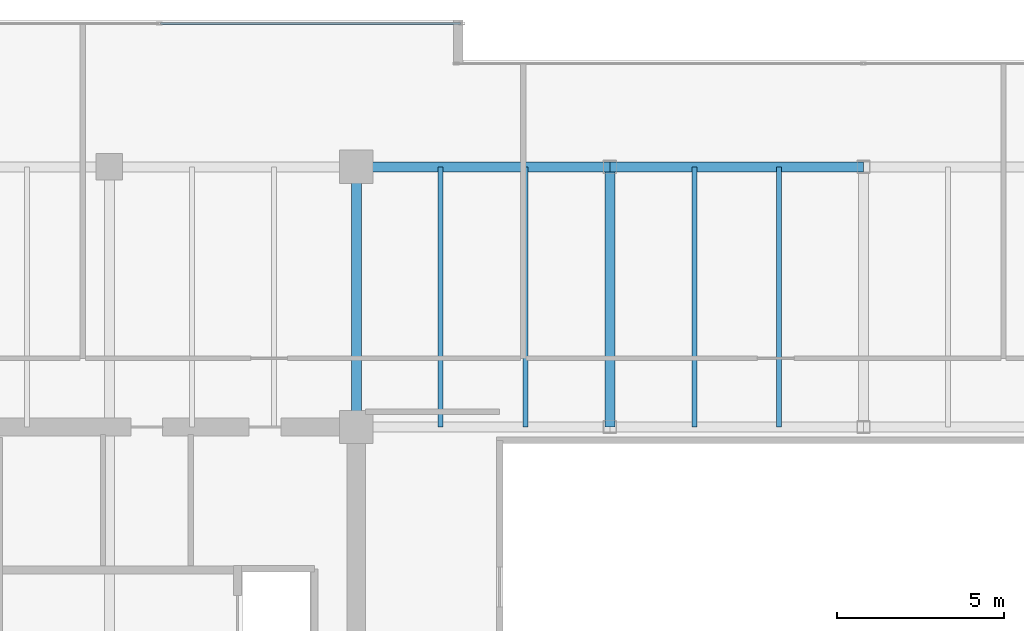
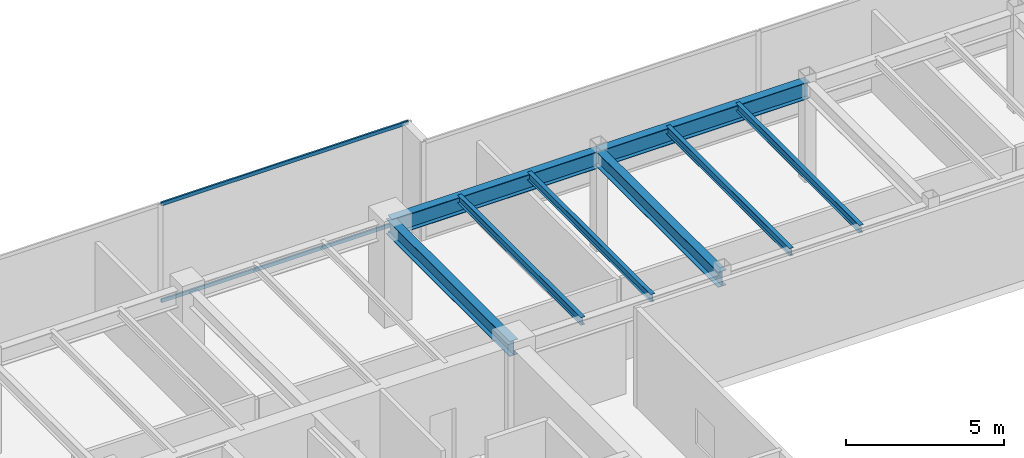
# One storey, part 16 of 33: 8 beams, 2 members, 1 element without a shape of its own.
"""IFC4 building model written with IfcOpenShell, lengths in metres."""

from ifc_helpers import new_model, si_unit, direction, frame, origin, origin_2d, place, context, subcontext, project, spatial, hollow_rectangle, i_section, extrude, source, transform, mapped, material, layer, layer_set, material_profile, profile_set, type_object, type_shapes, element, aggregate, save


model = new_model("IFC4")

# Units and contexts
model_context = context("Model", 3, precision=1e-05, world=origin(), true_north=direction((0.0, 1.0)))
body_context = subcontext(model_context, "Body", "Model", "MODEL_VIEW")
ifc_project = project(units=[si_unit("LENGTHUNIT", "METRE"), si_unit("AREAUNIT", "SQUARE_METRE"), si_unit("VOLUMEUNIT", "CUBIC_METRE"), si_unit("PLANEANGLEUNIT", "RADIAN"), si_unit("MASSUNIT", "GRAM", prefix="KILO")], contexts=[model_context])

# Site, building, storey
site_placement = place(None, origin())
site = spatial("IfcSite", under=ifc_project, at=site_placement, CompositionType="ELEMENT")
building_placement = place(site_placement, origin())
building = spatial("IfcBuilding", under=site, at=building_placement, Name="Haelvirn Gate Laboratories", CompositionType="ELEMENT")
storey_placement = place(building_placement, frame((0.0, 0.0, 213.699951171875)))
storey = spatial("IfcBuildingStorey", under=building, at=storey_placement, Name="L51", CompositionType="ELEMENT", Elevation=213.699951171875)

# Beams
ifc_material_1 = material(Name="Steel SM355", Category="steel")
ifc_material_profile_1 = material_profile(ifc_material_1, i_section(OverallWidth=0.14990234375, OverallDepth=0.300048828125, WebThickness=0.006591796875, FlangeThickness=0.009033203125, at=origin_2d()), Name="H-300x150x6.5x9")
ifc_profile_set_1 = profile_set([ifc_material_profile_1], Name="Steel SM355")
beam_type_1 = type_object("IfcBeamType", Name="BM-J-300", PredefinedType="JOIST", material=ifc_profile_set_1)
shared_shape_1 = source(origin(), body_context, "Body", "SweptSolid", [
    extrude(i_section(OverallWidth=0.14990234375, OverallDepth=0.300048828125, WebThickness=0.006591796875, FlangeThickness=0.009033203125, at=origin_2d()), origin(), (0.0, 0.0, 1.0), 7.800048828125),
])
type_shapes(beam_type_1, [shared_shape_1])
for number, where, z_axis, x_axis, name in (
    (1, (24.72998046875, 33.800048828125, 3.650146484375), (0.0, 1.0, 0.0), (-1.0, 0.0, 0.0), "L51 Composite Lab Joist North X24.73"),
    (2, (27.27001953125, 33.800048828125, 3.650146484375), (0.0, 1.0, 0.0), (-1.0, 0.0, 0.0), "L51 Composite Lab Joist North X27.27"),
    (3, (32.330078125, 33.800048828125, 3.650146484375), (0.0, 1.0, 0.0), (-1.0, 0.0, 0.0), "L51 Composite Lab Joist North X32.33"),
    (4, (34.8701171875, 33.800048828125, 3.650146484375), (0.0, 1.0, 0.0), (-1.0, 0.0, 0.0), "L51 Composite Lab Joist North X34.87"),
):
    element("IfcBeam", number, at=place(storey_placement, frame(where, z_axis=z_axis, x_axis=x_axis)), inside=storey, type_object=beam_type_1, Name=name, PredefinedType="JOIST", context=body_context, shape_type="MappedRepresentation", body=[
        mapped(shared_shape_1, transform((0.0, 0.0, 0.0), scale=1.0)),
    ])
ifc_material_profile_2 = material_profile(ifc_material_1, i_section(OverallWidth=0.300048828125, OverallDepth=0.587890625, WebThickness=0.011962890625, FlangeThickness=0.02001953125, at=origin_2d()), Name="H-588x300x12x20")
ifc_profile_set_2 = profile_set([ifc_material_profile_2], Name="Steel SM355")
beam_type_2 = type_object("IfcBeamType", Name="BM-G-588", PredefinedType="BEAM", material=ifc_profile_set_2)
shared_shape_2 = source(origin(), body_context, "Body", "SweptSolid", [
    extrude(i_section(OverallWidth=0.300048828125, OverallDepth=0.587890625, WebThickness=0.011962890625, FlangeThickness=0.02001953125, at=origin_2d()), origin(), (0.0, 0.0, 1.0), 7.800048828125),
])
type_shapes(beam_type_2, [shared_shape_2])
for number, where, z_axis, x_axis, name in (
    (5, (22.199951171875, 33.800048828125, 3.506103515625), (0.0, 1.0, 0.0), (-1.0, 0.0, 0.0), "L51 Frame Girder X22.2 (33.8-41.6)"),
    (6, (29.800048828125, 33.800048828125, 3.506103515625), (0.0, 1.0, 0.0), (-1.0, 0.0, 0.0), "L51 Frame Girder X29.8 (33.8-41.6)"),
):
    element("IfcBeam", number, at=place(storey_placement, frame(where, z_axis=z_axis, x_axis=x_axis)), inside=storey, type_object=beam_type_2, Name=name, PredefinedType="BEAM", context=body_context, shape_type="MappedRepresentation", body=[
        mapped(shared_shape_2, transform((0.0, 0.0, 0.0), scale=1.0)),
    ])
ifc_material_profile_3 = material_profile(ifc_material_1, i_section(OverallWidth=0.300048828125, OverallDepth=0.64990234375, WebThickness=0.012939453125, FlangeThickness=0.02197265625, at=origin_2d()), Name="H-650x300x13x22")
ifc_profile_set_3 = profile_set([ifc_material_profile_3], Name="Steel SM355")
beam_type_3 = type_object("IfcBeamType", Name="BM-G-650", PredefinedType="BEAM", material=ifc_profile_set_3)
shared_shape_3 = source(origin(), body_context, "Body", "SweptSolid", [
    extrude(i_section(OverallWidth=0.300048828125, OverallDepth=0.64990234375, WebThickness=0.012939453125, FlangeThickness=0.02197265625, at=origin_2d()), origin(), (0.0, 0.0, 1.0), 7.60009765625),
])
beam_1_placement = place(storey_placement, frame((22.199951171875, 41.60009765625, 3.47509765625), z_axis=(1.0, 0.0, 0.0), x_axis=(0.0, 1.0, 0.0)))
element("IfcBeam", 7, at=beam_1_placement, inside=storey, type_object=beam_type_3, Name="L51 Primary Girder Y41.6 (22.2-29.8)", PredefinedType="BEAM", context=body_context, shape_type="MappedRepresentation", body=[
    mapped(shared_shape_3, transform((0.0, 0.0, 0.0), scale=1.0)),
])
shared_shape_4 = source(origin(), body_context, "Body", "SweptSolid", [
    extrude(i_section(OverallWidth=0.300048828125, OverallDepth=0.64990234375, WebThickness=0.012939453125, FlangeThickness=0.02197265625, at=origin_2d()), origin(), (0.0, 0.0, 1.0), 7.599853515625),
])
type_shapes(beam_type_3, [shared_shape_3, shared_shape_4])
beam_2_placement = place(storey_placement, frame((29.800048828125, 41.60009765625, 3.47509765625), z_axis=(1.0, 0.0, 0.0), x_axis=(0.0, 1.0, 0.0)))
element("IfcBeam", 8, at=beam_2_placement, inside=storey, type_object=beam_type_3, Name="L51 Primary Girder Y41.6 (29.8-37.4)", PredefinedType="BEAM", context=body_context, shape_type="MappedRepresentation", body=[
    mapped(shared_shape_4, transform((0.0, 0.0, 0.0), scale=1.0)),
])

# Curtain wall, members
ifc_material_2 = material(Name="Anodised bronze unitised aluminium & triple low-E glass", Category="aluminium")
ifc_layer = layer(ifc_material_2, 0.176025390625, Name="CW-SYS-4")
ifc_layer_set = layer_set([ifc_layer], Name="Anodised bronze unitised aluminium & triple low-E glass")
curtain_wall_type = type_object("IfcCurtainWallType", Name="CW-SYS-4", PredefinedType="NOTDEFINED", material=ifc_layer_set)
curtain_wall_placement = place(storey_placement, origin())
curtain_wall = element("IfcCurtainWall", 9, at=curtain_wall_placement, inside=storey, type_object=curtain_wall_type, Name="L51 Unitised Curtain Wall CW-L51-P0-E14-1", PredefinedType="NOTDEFINED")
ifc_material_3 = material(Name="Extruded aluminium 6063-T6 (anodised bronze)", Category="aluminium")
ifc_material_profile_4 = material_profile(ifc_material_3, hollow_rectangle(XDim=0.06494140625, YDim=0.139892578125, WallThickness=0.00390625, at=origin_2d()), Name="CWT-140x65x4")
ifc_profile_set_4 = profile_set([ifc_material_profile_4], Name="Extruded aluminium 6063-T6 (anodised bronze)")
member_type = type_object("IfcMemberType", Name="CWT-T140", PredefinedType="USERDEFINED", material=ifc_profile_set_4)
shared_shape_5 = source(origin(), body_context, "Body", "SweptSolid", [
    extrude(hollow_rectangle(XDim=0.06494140625, YDim=0.139892578125, WallThickness=0.00390625, at=origin_2d()), origin(), (0.0, 0.0, 1.0), 8.9951171875),
])
type_shapes(member_type, [shared_shape_5])
member_1_placement = place(storey_placement, frame((16.3349609375, 45.89990234375, 0.032470703125), z_axis=(1.0, 0.0, 0.0), x_axis=(0.0, 1.0, 0.0)))
member_1 = element("IfcMember", 10, at=member_1_placement, type_object=member_type, Name="CW4 transom 2.1", ObjectType="TRANSOM", PredefinedType="USERDEFINED", context=body_context, shape_type="MappedRepresentation", body=[
    mapped(shared_shape_5, transform((0.0, 0.0, 0.0), scale=1.0)),
])
member_2_placement = place(storey_placement, frame((16.3349609375, 45.89990234375, 3.767578125), z_axis=(1.0, 0.0, 0.0), x_axis=(0.0, 1.0, 0.0)))
member_2 = element("IfcMember", 11, at=member_2_placement, type_object=member_type, Name="CW4 transom 2.2", ObjectType="TRANSOM", PredefinedType="USERDEFINED", context=body_context, shape_type="MappedRepresentation", body=[
    mapped(shared_shape_5, transform((0.0, 0.0, 0.0), scale=1.0)),
])
aggregate(curtain_wall, [member_1, member_2])

save(model, "model.ifc")
